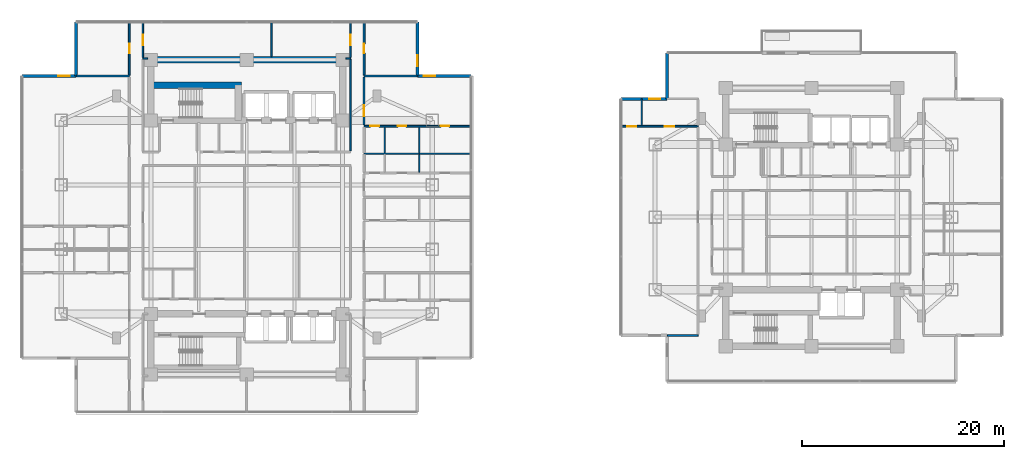
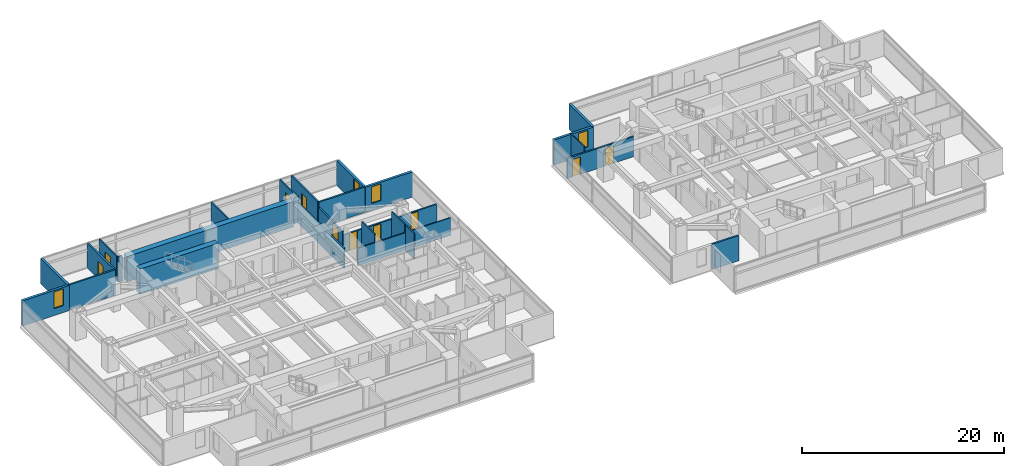
# One storey, part 16 of 24: 27 walls, 10 doors, 4 windows, 14 openings.
"""IFC4 building model written with IfcOpenShell, lengths in metres."""

from ifc_helpers import new_model, si_unit, direction, frame, frame_2d, origin, place, context, subcontext, project, spatial, rectangle, extrude, material, layer, layer_set, type_object, element, fill, save


model = new_model("IFC4")

# Units and contexts
model_context = context("Model", 3, precision=1e-05, world=origin(), true_north=direction((0.0, 1.0)))
body_context = subcontext(model_context, "Body", "Model", "MODEL_VIEW")
ifc_project = project(units=[si_unit("LENGTHUNIT", "METRE"), si_unit("AREAUNIT", "SQUARE_METRE"), si_unit("VOLUMEUNIT", "CUBIC_METRE"), si_unit("PLANEANGLEUNIT", "RADIAN"), si_unit("MASSUNIT", "GRAM", prefix="KILO")], contexts=[model_context])

# Site, building, storey
site_placement = place(None, origin())
site = spatial("IfcSite", under=ifc_project, at=site_placement, CompositionType="ELEMENT")
building_placement = place(site_placement, origin())
building = spatial("IfcBuilding", under=site, at=building_placement, Name="Mirazonda Arch Towers", CompositionType="ELEMENT")
storey_placement = place(building_placement, frame((0.0, 0.0, 71.89990234375)))
storey = spatial("IfcBuildingStorey", under=building, at=storey_placement, Name="L20", CompositionType="ELEMENT", Elevation=71.89990234375)

# Walls
ifc_material_1 = material(Name="Concrete C60/75", Category="concrete")
ifc_layer_1 = layer(ifc_material_1, 0.64990234375, Name="WALL-CORE-650")
ifc_layer_set_1 = layer_set([ifc_layer_1], Name="Concrete C60/75")
wall_type_1 = type_object("IfcWallType", Name="WALL-CORE-650", PredefinedType="SHEAR", material=ifc_layer_set_1)
wall_1_placement = place(storey_placement, frame((11.0, 43.60009765625, 0.0), z_axis=(0.0, 0.0, 1.0), x_axis=(1.0, 0.0, 0.0)))
element("IfcWall", 1, at=wall_1_placement, inside=storey, type_object=wall_type_1, Name="L20 T1N-N Core Shear Wall", PredefinedType="SHEAR", context=body_context, shape_type="SweptSolid", body=[
    extrude(rectangle(XDim=19.0, YDim=0.64990234375, at=frame_2d((9.5, 0.0))), origin(), (0.0, 0.0, 1.0), 3.06005859375),
])
wall_2_placement = place(storey_placement, frame((11.0, 41.093017578125, 0.0), z_axis=(0.0, 0.0, 1.0), x_axis=(1.0, 0.0, 0.0)))
element("IfcWall", 2, at=wall_2_placement, inside=storey, type_object=wall_type_1, Name="L20 T1N-STN Core Shear Wall", PredefinedType="SHEAR", context=body_context, shape_type="SweptSolid", body=[
    extrude(rectangle(XDim=9.0, YDim=0.64990234375, at=frame_2d((4.5, 0.0))), origin(), (0.0, 0.0, 1.0), 3.06005859375),
])

# Wall, opening, window
ifc_material_2 = material(Name="Precast Concrete C40/50", Category="concrete")
ifc_layer_2 = layer(ifc_material_2, 0.280029296875, Name="WALL-EXT-WALL-280")
ifc_layer_set_2 = layer_set([ifc_layer_2], Name="Precast Concrete C40/50")
wall_type_2 = type_object("IfcWallType", Name="WALL-EXT-WALL-280", PredefinedType="SOLIDWALL", material=ifc_layer_set_2)
wall_3_placement = place(storey_placement, frame((37.419921875, 41.988037109375, 0.0), z_axis=(0.0, 0.0, 1.0), x_axis=(0.0, 1.0, 0.0)))
wall_3 = element("IfcWall", 3, at=wall_3_placement, inside=storey, type_object=wall_type_2, Name="L20 T1 Notched NE Corner Wall WL-L20-T1-CNE", PredefinedType="SOLIDWALL", context=body_context, shape_type="SweptSolid", body=[
    extrude(rectangle(XDim=5.33984375, YDim=0.280029296875, at=frame_2d((2.669921875, 0.0))), origin(), (0.0, 0.0, 1.0), 3.0400390625),
])
opening_1_placement = place(wall_3_placement, frame((0.949951171875, 0.0, 0.85009765625)))
opening_1 = element("IfcOpeningElement", 4, at=opening_1_placement, cuts=wall_3, Name="Opening WN-108", PredefinedType="OPENING", context=body_context, shape_type="SweptSolid", body=[
    extrude(rectangle(XDim=1.10009765625, YDim=2.0, at=frame_2d((0.550048828125, 1.0))), frame((0.0, 0.14990234375, 0.0), z_axis=(0.0, -1.0, 0.0), x_axis=(1.0, 0.0, 0.0)), (0.0, 0.0, 1.0), 0.300048828125),
])
ifc_material_3 = material(Name="Insulated Low-E Solar Glass", Category="glass")
window_type = type_object("IfcWindowType", Name="WIN-NOTCH-1100x2000", PartitioningType="SINGLE_PANEL", PredefinedType="WINDOW", material=ifc_material_3)
window_1_placement = place(opening_1_placement, origin())
window_1 = element("IfcWindow", 5, at=window_1_placement, inside=storey, type_object=window_type, Name="L20 Punched Facade Window WN-L20-T1-CNE", OverallHeight=2.0, OverallWidth=1.10009765625, PartitioningType="SINGLE_PANEL", PredefinedType="WINDOW", context=body_context, shape_type="SweptSolid", body=[
    extrude(rectangle(XDim=1.10009765625, YDim=2.0, at=frame_2d((0.550048828125, 1.0))), frame((0.0, 0.030029296875, 0.0), z_axis=(0.0, -1.0, 0.0), x_axis=(1.0, 0.0, 0.0)), (0.0, 0.0, 1.0), 0.06005859375),
])
fill(opening_1, window_1)

wall_4_placement = place(storey_placement, frame((3.580078125, 41.988037109375, 0.0), z_axis=(0.0, 0.0, 1.0), x_axis=(-1.0, 0.0, 0.0)))
wall_4 = element("IfcWall", 6, at=wall_4_placement, inside=storey, type_object=wall_type_2, Name="L20 T1 Corner Notch Return Wall WL-L20-T1-CNW1", PredefinedType="SOLIDWALL", context=body_context, shape_type="SweptSolid", body=[
    extrude(rectangle(XDim=5.340087890625, YDim=0.280029296875, at=frame_2d((2.669921875, 0.0))), origin(), (0.0, 0.0, 1.0), 3.0400390625),
])
opening_2_placement = place(wall_4_placement, frame((0.64990234375, 0.0, 0.85009765625)))
opening_2 = element("IfcOpeningElement", 7, at=opening_2_placement, cuts=wall_4, Name="Opening WN-108", PredefinedType="OPENING", context=body_context, shape_type="SweptSolid", body=[
    extrude(rectangle(XDim=1.10009765625, YDim=2.0, at=frame_2d((0.550048828125, 1.0))), frame((0.0, 0.14990234375, 0.0), z_axis=(0.0, -1.0, 0.0), x_axis=(1.0, 0.0, 0.0)), (0.0, 0.0, 1.0), 0.300048828125),
])
window_2_placement = place(opening_2_placement, origin())
window_2 = element("IfcWindow", 8, at=window_2_placement, inside=storey, type_object=window_type, Name="L20 Punched Facade Window WN-L20-T1-CNW1", OverallHeight=2.0, OverallWidth=1.10009765625, PartitioningType="SINGLE_PANEL", PredefinedType="WINDOW", context=body_context, shape_type="SweptSolid", body=[
    extrude(rectangle(XDim=1.10009765625, YDim=2.0, at=frame_2d((0.550048828125, 1.0))), frame((0.0, 0.030029296875, 0.0), z_axis=(0.0, -1.0, 0.0), x_axis=(1.0, 0.0, 0.0)), (0.0, 0.0, 1.0), 0.06005859375),
])
fill(opening_2, window_2)

# Wall
wall_5_placement = place(storey_placement, frame((3.580078125, 47.327880859375, 0.0), z_axis=(0.0, 0.0, 1.0), x_axis=(0.0, -1.0, 0.0)))
element("IfcWall", 9, at=wall_5_placement, inside=storey, type_object=wall_type_2, Name="L20 T1 Corner Notch Return Wall WL-L20-T1-CNW2", PredefinedType="SOLIDWALL", context=body_context, shape_type="SweptSolid", body=[
    extrude(rectangle(XDim=5.33984375, YDim=0.280029296875, at=frame_2d((2.669921875, 0.0))), origin(), (0.0, 0.0, 1.0), 3.0400390625),
])

# Wall, opening, window
wall_6_placement = place(storey_placement, frame((42.760009765625, 41.988037109375, 0.0), z_axis=(0.0, 0.0, 1.0), x_axis=(-1.0, 0.0, 0.0)))
wall_6 = element("IfcWall", 10, at=wall_6_placement, inside=storey, type_object=wall_type_2, Name="L20 T1 Corner Notch Return Wall WL-L20-T1-CNE2", PredefinedType="SOLIDWALL", context=body_context, shape_type="SweptSolid", body=[
    extrude(rectangle(XDim=5.340087890625, YDim=0.280029296875, at=frame_2d((2.669921875, 0.0))), origin(), (0.0, 0.0, 1.0), 3.0400390625),
])
opening_3_placement = place(wall_6_placement, frame((3.590087890625, 0.0, 0.85009765625)))
opening_3 = element("IfcOpeningElement", 11, at=opening_3_placement, cuts=wall_6, Name="Opening WN-108", PredefinedType="OPENING", context=body_context, shape_type="SweptSolid", body=[
    extrude(rectangle(XDim=1.10009765625, YDim=2.0, at=frame_2d((0.550048828125, 1.0))), frame((0.0, 0.14990234375, 0.0), z_axis=(0.0, -1.0, 0.0), x_axis=(1.0, 0.0, 0.0)), (0.0, 0.0, 1.0), 0.300048828125),
])
window_3_placement = place(opening_3_placement, origin())
window_3 = element("IfcWindow", 12, at=window_3_placement, inside=storey, type_object=window_type, Name="L20 Punched Facade Window WN-L20-T1-CNE2", OverallHeight=2.0, OverallWidth=1.10009765625, PartitioningType="SINGLE_PANEL", PredefinedType="WINDOW", context=body_context, shape_type="SweptSolid", body=[
    extrude(rectangle(XDim=1.10009765625, YDim=2.0, at=frame_2d((0.550048828125, 1.0))), frame((0.0, 0.030029296875, 0.0), z_axis=(0.0, -1.0, 0.0), x_axis=(1.0, 0.0, 0.0)), (0.0, 0.0, 1.0), 0.06005859375),
])
fill(opening_3, window_3)

wall_7_placement = place(storey_placement, frame((62.177978515625, 39.729736328125, 0.0), z_axis=(0.0, 0.0, 1.0), x_axis=(-1.0, 0.0, 0.0)))
wall_7 = element("IfcWall", 13, at=wall_7_placement, inside=storey, type_object=wall_type_2, Name="L20 T2 Corner Notch Return Wall WL-L20-T2-CNW1", PredefinedType="SOLIDWALL", context=body_context, shape_type="SweptSolid", body=[
    extrude(rectangle(XDim=4.5458984375, YDim=0.280029296875, at=frame_2d((2.27294921875, 0.0))), origin(), (0.0, 0.0, 1.0), 3.0400390625),
])
opening_4_placement = place(wall_7_placement, frame((0.64990234375, 0.0, 0.85009765625)))
opening_4 = element("IfcOpeningElement", 14, at=opening_4_placement, cuts=wall_7, Name="Opening WN-108", PredefinedType="OPENING", context=body_context, shape_type="SweptSolid", body=[
    extrude(rectangle(XDim=1.10009765625, YDim=2.0, at=frame_2d((0.550048828125, 1.0))), frame((0.0, 0.14990234375, 0.0), z_axis=(0.0, -1.0, 0.0), x_axis=(1.0, 0.0, 0.0)), (0.0, 0.0, 1.0), 0.300048828125),
])
window_4_placement = place(opening_4_placement, origin())
window_4 = element("IfcWindow", 15, at=window_4_placement, inside=storey, type_object=window_type, Name="L20 Punched Facade Window WN-L20-T2-CNW1", OverallHeight=2.0, OverallWidth=1.10009765625, PartitioningType="SINGLE_PANEL", PredefinedType="WINDOW", context=body_context, shape_type="SweptSolid", body=[
    extrude(rectangle(XDim=1.10009765625, YDim=2.0, at=frame_2d((0.550048828125, 1.0))), frame((0.0, 0.030029296875, 0.0), z_axis=(0.0, -1.0, 0.0), x_axis=(1.0, 0.0, 0.0)), (0.0, 0.0, 1.0), 0.06005859375),
])
fill(opening_4, window_4)

# Walls
wall_8_placement = place(storey_placement, frame((62.177978515625, 44.27587890625, 0.0), z_axis=(0.0, 0.0, 1.0), x_axis=(0.0, -1.0, 0.0)))
element("IfcWall", 16, at=wall_8_placement, inside=storey, type_object=wall_type_2, Name="L20 T2 Corner Notch Return Wall WL-L20-T2-CNW2", PredefinedType="SOLIDWALL", context=body_context, shape_type="SweptSolid", body=[
    extrude(rectangle(XDim=4.546142578125, YDim=0.280029296875, at=frame_2d((2.27294921875, 0.0))), origin(), (0.0, 0.0, 1.0), 3.0400390625),
])
ifc_material_4 = material(Name="Fire-Rated Gypsum Stud Partition")
ifc_layer_3 = layer(ifc_material_4, 0.14990234375, Name="WALL-PART-CORR-150")
ifc_layer_set_3 = layer_set([ifc_layer_3], Name="Fire-Rated Gypsum Stud Partition")
wall_type_3 = type_object("IfcWallType", Name="WALL-PART-CORR-150", PredefinedType="PARTITIONING", material=ifc_layer_set_3)
for number, where, z_axis, x_axis, name in (
    (17, (10.199951171875, 43.75, 0.0), (0.0, 0.0, 1.0), (1.0, 0.0, 0.0), "L20 Interior Partition 056"),
    (18, (30.320068359375, 43.75, 0.0), (0.0, 0.0, 1.0), (1.0, 0.0, 0.0), "L20 Interior Partition 057"),
):
    element("IfcWall", number, at=place(storey_placement, frame(where, z_axis=z_axis, x_axis=x_axis)), inside=storey, type_object=wall_type_3, Name=name, PredefinedType="PARTITIONING", context=body_context, shape_type="SweptSolid", body=[
        extrude(rectangle(XDim=0.47998046875, YDim=0.14990234375, at=frame_2d((0.239990234375, 0.0))), origin(), (0.0, 0.0, 1.0), 3.06005859375),
    ])

# Wall, opening, door
wall_9_placement = place(storey_placement, frame((10.199951171875, 43.8349609375, 0.0), z_axis=(0.0, 0.0, 1.0), x_axis=(0.0, 1.0, 0.0)))
wall_9 = element("IfcWall", 19, at=wall_9_placement, inside=storey, type_object=wall_type_3, Name="L20 Interior Partition 073", PredefinedType="PARTITIONING", context=body_context, shape_type="SweptSolid", body=[
    extrude(rectangle(XDim=3.492919921875, YDim=0.14990234375, at=frame_2d((1.74658203125, 0.0))), origin(), (0.0, 0.0, 1.0), 3.06005859375),
])
opening_5_placement = place(wall_9_placement, frame((1.221435546875, 0.0, 0.0)))
opening_5 = element("IfcOpeningElement", 20, at=opening_5_placement, cuts=wall_9, Name="Opening DR-121", PredefinedType="OPENING", context=body_context, shape_type="SweptSolid", body=[
    extrude(rectangle(XDim=1.050048828125, YDim=2.199951171875, at=frame_2d((0.52490234375, 1.10009765625))), frame((0.0, 0.0849609375, 0.0), z_axis=(0.0, -1.0, 0.0), x_axis=(1.0, 0.0, 0.0)), (0.0, 0.0, 1.0), 0.169921875),
])
ifc_material_5 = material(Name="Architectural Brushed Steel S355", Category="steel")
door_type_1 = type_object("IfcDoorType", Name="DOOR-SUITE-FD60-1050", OperationType="NOTDEFINED", PredefinedType="DOOR", material=ifc_material_5)
door_1_placement = place(opening_5_placement, origin())
door_1 = element("IfcDoor", 21, at=door_1_placement, inside=storey, type_object=door_type_1, Name="L20 North Bay Sunroom West Door", OperationType="SINGLE_SWING_RIGHT", OverallHeight=2.199951171875, OverallWidth=1.050048828125, PredefinedType="DOOR", context=body_context, shape_type="SweptSolid", body=[
    extrude(rectangle(XDim=1.050048828125, YDim=2.199951171875, at=frame_2d((0.52490234375, 1.10009765625))), frame((0.0, 0.02490234375, 0.0), z_axis=(0.0, -1.0, 0.0), x_axis=(1.0, 0.0, 0.0)), (0.0, 0.0, 1.0), 0.050048828125),
])
fill(opening_5, door_1)

# Walls
wall_10_placement = place(storey_placement, frame((22.971923828125, 43.919921875, 0.0), z_axis=(0.0, 0.0, 1.0), x_axis=(0.0, 1.0, 0.0)))
element("IfcWall", 22, at=wall_10_placement, inside=storey, type_object=wall_type_3, Name="L20 Interior Partition 087", PredefinedType="PARTITIONING", context=body_context, shape_type="SweptSolid", body=[
    extrude(rectangle(XDim=3.407958984375, YDim=0.14990234375, at=frame_2d((1.7041015625, 0.0))), origin(), (0.0, 0.0, 1.0), 3.06005859375),
])
wall_11_placement = place(storey_placement, frame((30.800048828125, 34.570068359375, 0.0), z_axis=(0.0, 0.0, 1.0), x_axis=(0.0, 1.0, 0.0)))
element("IfcWall", 23, at=wall_11_placement, inside=storey, type_object=wall_type_3, Name="L20 Interior Partition 100", PredefinedType="PARTITIONING", context=body_context, shape_type="SweptSolid", body=[
    extrude(rectangle(XDim=9.094970703125, YDim=0.14990234375, at=frame_2d((4.54736328125, 0.0))), origin(), (0.0, 0.0, 1.0), 2.43603515625),
])

# Wall, opening, door
wall_12_placement = place(storey_placement, frame((30.800048828125, 43.8349609375, 0.0), z_axis=(0.0, 0.0, 1.0), x_axis=(0.0, 1.0, 0.0)))
wall_12 = element("IfcWall", 24, at=wall_12_placement, inside=storey, type_object=wall_type_3, Name="L20 Interior Partition 101", PredefinedType="PARTITIONING", context=body_context, shape_type="SweptSolid", body=[
    extrude(rectangle(XDim=3.492919921875, YDim=0.14990234375, at=frame_2d((1.74658203125, 0.0))), origin(), (0.0, 0.0, 1.0), 3.06005859375),
])
opening_6_placement = place(wall_12_placement, frame((1.221435546875, 0.0, 0.0)))
opening_6 = element("IfcOpeningElement", 25, at=opening_6_placement, cuts=wall_12, Name="Opening DR-121", PredefinedType="OPENING", context=body_context, shape_type="SweptSolid", body=[
    extrude(rectangle(XDim=1.050048828125, YDim=2.199951171875, at=frame_2d((0.52490234375, 1.10009765625))), frame((0.0, 0.0849609375, 0.0), z_axis=(0.0, -1.0, 0.0), x_axis=(1.0, 0.0, 0.0)), (0.0, 0.0, 1.0), 0.169921875),
])
door_2_placement = place(opening_6_placement, origin())
door_2 = element("IfcDoor", 26, at=door_2_placement, inside=storey, type_object=door_type_1, Name="L20 North Bay Sunroom East Door", OperationType="SINGLE_SWING_LEFT", OverallHeight=2.199951171875, OverallWidth=1.050048828125, PredefinedType="DOOR", context=body_context, shape_type="SweptSolid", body=[
    extrude(rectangle(XDim=1.050048828125, YDim=2.199951171875, at=frame_2d((0.52490234375, 1.10009765625))), frame((0.0, 0.02490234375, 0.0), z_axis=(0.0, -1.0, 0.0), x_axis=(1.0, 0.0, 0.0)), (0.0, 0.0, 1.0), 0.050048828125),
])
fill(opening_6, door_2)

# Wall
ifc_material_6 = material(Name="Fire-Rated Gypsum Twin-Stud Assembly")
ifc_layer_4 = layer(ifc_material_6, 0.179931640625, Name="WALL-PART-DEMISE-180")
ifc_layer_set_4 = layer_set([ifc_layer_4], Name="Fire-Rated Gypsum Twin-Stud Assembly")
wall_type_4 = type_object("IfcWallType", Name="WALL-PART-DEMISE-180", PredefinedType="PARTITIONING", material=ifc_layer_set_4)
wall_13_placement = place(storey_placement, frame((62.197998046875, 16.27001953125, 0.0), z_axis=(0.0, 0.0, 1.0), x_axis=(1.0, 0.0, 0.0)))
element("IfcWall", 27, at=wall_13_placement, inside=storey, type_object=wall_type_4, Name="L20 Interior Partition 009", PredefinedType="PARTITIONING", context=body_context, shape_type="SweptSolid", body=[
    extrude(rectangle(XDim=3.052001953125, YDim=0.179931640625, at=frame_2d((1.52587890625, 0.0))), origin(), (0.0, 0.0, 1.0), 3.06005859375),
])

# Wall, openings, doors
wall_14_placement = place(storey_placement, frame((32.139892578125, 37.01611328125, 0.0), z_axis=(0.0, 0.0, 1.0), x_axis=(1.0, 0.0, 0.0)))
wall_14 = element("IfcWall", 28, at=wall_14_placement, inside=storey, type_object=wall_type_4, Name="L20 Interior Partition 045", PredefinedType="PARTITIONING", context=body_context, shape_type="SweptSolid", body=[
    extrude(rectangle(XDim=10.6201171875, YDim=0.179931640625, at=frame_2d((5.31005859375, 0.0))), origin(), (0.0, 0.0, 1.0), 2.125),
])
opening_7_placement = place(wall_14_placement, frame((7.60107421875, 0.0, 0.0)))
opening_7 = element("IfcOpeningElement", 29, at=opening_7_placement, cuts=wall_14, Name="Opening DR-128", PredefinedType="OPENING", context=body_context, shape_type="SweptSolid", body=[
    extrude(rectangle(XDim=0.85009765625, YDim=2.010009765625, at=frame_2d((0.425048828125, 1.0048828125))), frame((0.0, 0.099853515625, 0.0), z_axis=(0.0, -1.0, 0.0), x_axis=(1.0, 0.0, 0.0)), (0.0, 0.0, 1.0), 0.199951171875),
])
opening_8_placement = place(wall_14_placement, frame((3.3310546875, 0.0, 0.0)))
opening_8 = element("IfcOpeningElement", 30, at=opening_8_placement, cuts=wall_14, Name="Opening DR-128", PredefinedType="OPENING", context=body_context, shape_type="SweptSolid", body=[
    extrude(rectangle(XDim=0.85009765625, YDim=2.010009765625, at=frame_2d((0.425048828125, 1.0048828125))), frame((0.0, 0.099853515625, 0.0), z_axis=(0.0, -1.0, 0.0), x_axis=(1.0, 0.0, 0.0)), (0.0, 0.0, 1.0), 0.199951171875),
])
opening_9_placement = place(wall_14_placement, frame((0.590087890625, 0.0, 0.0)))
opening_9 = element("IfcOpeningElement", 31, at=opening_9_placement, cuts=wall_14, Name="Opening DR-120", PredefinedType="OPENING", context=body_context, shape_type="SweptSolid", body=[
    extrude(rectangle(XDim=0.89990234375, YDim=2.10009765625, at=frame_2d((0.449951171875, 1.050048828125))), frame((0.0, 0.099853515625, 0.0), z_axis=(0.0, -1.0, 0.0), x_axis=(1.0, 0.0, 0.0)), (0.0, 0.0, 1.0), 0.199951171875),
])
door_type_2 = type_object("IfcDoorType", Name="DOOR-RISER-FD60-850", OperationType="NOTDEFINED", PredefinedType="DOOR", material=ifc_material_5)
door_3_placement = place(opening_7_placement, origin())
door_3 = element("IfcDoor", 32, at=door_3_placement, inside=storey, type_object=door_type_2, Name="L20 Residence 4 Principal Bedroom Door", OperationType="SINGLE_SWING_RIGHT", OverallHeight=2.010009765625, OverallWidth=0.85009765625, PredefinedType="DOOR", context=body_context, shape_type="SweptSolid", body=[
    extrude(rectangle(XDim=0.85009765625, YDim=2.010009765625, at=frame_2d((0.425048828125, 1.0048828125))), frame((0.0, 0.02490234375, 0.0), z_axis=(0.0, -1.0, 0.0), x_axis=(1.0, 0.0, 0.0)), (0.0, 0.0, 1.0), 0.050048828125),
])
fill(opening_7, door_3)
door_4_placement = place(opening_8_placement, origin())
door_4 = element("IfcDoor", 33, at=door_4_placement, inside=storey, type_object=door_type_2, Name="L20 Residence 4 Fitted Kitchen Door", OperationType="SINGLE_SWING_LEFT", OverallHeight=2.010009765625, OverallWidth=0.85009765625, PredefinedType="DOOR", context=body_context, shape_type="SweptSolid", body=[
    extrude(rectangle(XDim=0.85009765625, YDim=2.010009765625, at=frame_2d((0.425048828125, 1.0048828125))), frame((0.0, 0.02490234375, 0.0), z_axis=(0.0, -1.0, 0.0), x_axis=(1.0, 0.0, 0.0)), (0.0, 0.0, 1.0), 0.050048828125),
])
fill(opening_8, door_4)
door_type_3 = type_object("IfcDoorType", Name="DOOR-WC-900", OperationType="NOTDEFINED", PredefinedType="DOOR", material=ifc_material_5)
door_5_placement = place(opening_9_placement, origin())
door_5 = element("IfcDoor", 34, at=door_5_placement, inside=storey, type_object=door_type_3, Name="L20 Residence 4 Bathroom Door", OperationType="SINGLE_SWING_RIGHT", OverallHeight=2.10009765625, OverallWidth=0.89990234375, PredefinedType="DOOR", context=body_context, shape_type="SweptSolid", body=[
    extrude(rectangle(XDim=0.89990234375, YDim=2.10009765625, at=frame_2d((0.449951171875, 1.050048828125))), frame((0.0, 0.02490234375, 0.0), z_axis=(0.0, -1.0, 0.0), x_axis=(1.0, 0.0, 0.0)), (0.0, 0.0, 1.0), 0.050048828125),
])
fill(opening_9, door_5)

wall_15_placement = place(storey_placement, frame((57.632080078125, 37.010009765625, 0.0), z_axis=(0.0, 0.0, 1.0), x_axis=(1.0, 0.0, 0.0)))
wall_15 = element("IfcWall", 35, at=wall_15_placement, inside=storey, type_object=wall_type_4, Name="L20 Interior Partition 046", PredefinedType="PARTITIONING", context=body_context, shape_type="SweptSolid", body=[
    extrude(rectangle(XDim=7.617919921875, YDim=0.179931640625, at=frame_2d((3.80908203125, 0.0))), origin(), (0.0, 0.0, 1.0), 2.43603515625),
])
opening_10_placement = place(wall_15_placement, frame((4.333984375, 0.0, 0.0)))
opening_10 = element("IfcOpeningElement", 36, at=opening_10_placement, cuts=wall_15, Name="Opening DR-104", PredefinedType="OPENING", context=body_context, shape_type="SweptSolid", body=[
    extrude(rectangle(XDim=0.949951171875, YDim=2.14990234375, at=frame_2d((0.47509765625, 1.074951171875))), frame((0.0, 0.099853515625, 0.0), z_axis=(0.0, -1.0, 0.0), x_axis=(1.0, 0.0, 0.0)), (0.0, 0.0, 1.0), 0.199951171875),
])
opening_11_placement = place(wall_15_placement, frame((0.590087890625, 0.0, 0.0)))
opening_11 = element("IfcOpeningElement", 37, at=opening_11_placement, cuts=wall_15, Name="Opening DR-120", PredefinedType="OPENING", context=body_context, shape_type="SweptSolid", body=[
    extrude(rectangle(XDim=0.89990234375, YDim=2.10009765625, at=frame_2d((0.449951171875, 1.050048828125))), frame((0.0, 0.099853515625, 0.0), z_axis=(0.0, -1.0, 0.0), x_axis=(1.0, 0.0, 0.0)), (0.0, 0.0, 1.0), 0.199951171875),
])
door_type_4 = type_object("IfcDoorType", Name="DOOR-ROOM-950", OperationType="NOTDEFINED", PredefinedType="DOOR", material=ifc_material_5)
door_6_placement = place(opening_10_placement, origin())
door_6 = element("IfcDoor", 38, at=door_6_placement, inside=storey, type_object=door_type_4, Name="L20 Suite Bedroom 1 Door", OperationType="SINGLE_SWING_RIGHT", OverallHeight=2.14990234375, OverallWidth=0.949951171875, PredefinedType="DOOR", context=body_context, shape_type="SweptSolid", body=[
    extrude(rectangle(XDim=0.949951171875, YDim=2.14990234375, at=frame_2d((0.47509765625, 1.074951171875))), frame((0.0, 0.02490234375, 0.0), z_axis=(0.0, -1.0, 0.0), x_axis=(1.0, 0.0, 0.0)), (0.0, 0.0, 1.0), 0.050048828125),
])
fill(opening_10, door_6)
door_7_placement = place(opening_11_placement, origin())
door_7 = element("IfcDoor", 39, at=door_7_placement, inside=storey, type_object=door_type_3, Name="L20 Suite En-Suite Bathroom 1 Door", OperationType="SINGLE_SWING_LEFT", OverallHeight=2.10009765625, OverallWidth=0.89990234375, PredefinedType="DOOR", context=body_context, shape_type="SweptSolid", body=[
    extrude(rectangle(XDim=0.89990234375, YDim=2.10009765625, at=frame_2d((0.449951171875, 1.050048828125))), frame((0.0, 0.02490234375, 0.0), z_axis=(0.0, -1.0, 0.0), x_axis=(1.0, 0.0, 0.0)), (0.0, 0.0, 1.0), 0.050048828125),
])
fill(opening_11, door_7)

# Walls
for number, where, z_axis, x_axis, name in (
    (40, (3.60009765625, 41.988037109375, 0.0), (0.0, 0.0, 1.0), (1.0, 0.0, 0.0), "L20 Interior Partition 054"),
    (41, (32.139892578125, 41.988037109375, 0.0), (0.0, 0.0, 1.0), (1.0, 0.0, 0.0), "L20 Interior Partition 055"),
):
    element("IfcWall", number, at=place(storey_placement, frame(where, z_axis=z_axis, x_axis=x_axis)), inside=storey, type_object=wall_type_4, Name=name, PredefinedType="PARTITIONING", context=body_context, shape_type="SweptSolid", body=[
        extrude(rectangle(XDim=5.260009765625, YDim=0.179931640625, at=frame_2d((2.6298828125, 0.0))), origin(), (0.0, 0.0, 1.0), 3.06005859375),
    ])

# Wall, opening, door
wall_16_placement = place(storey_placement, frame((8.860107421875, 42.087890625, 0.0), z_axis=(0.0, 0.0, 1.0), x_axis=(0.0, 1.0, 0.0)))
wall_16 = element("IfcWall", 42, at=wall_16_placement, inside=storey, type_object=wall_type_4, Name="L20 Interior Partition 067", PredefinedType="PARTITIONING", context=body_context, shape_type="SweptSolid", body=[
    extrude(rectangle(XDim=5.239990234375, YDim=0.179931640625, at=frame_2d((2.6201171875, 0.0))), origin(), (0.0, 0.0, 1.0), 3.06005859375),
])
opening_12_placement = place(wall_16_placement, frame((2.14501953125, 0.0, 0.0)))
opening_12 = element("IfcOpeningElement", 43, at=opening_12_placement, cuts=wall_16, Name="Opening DR-104", PredefinedType="OPENING", context=body_context, shape_type="SweptSolid", body=[
    extrude(rectangle(XDim=0.949951171875, YDim=2.14990234375, at=frame_2d((0.47509765625, 1.074951171875))), frame((0.0, 0.099853515625, 0.0), z_axis=(0.0, -1.0, 0.0), x_axis=(1.0, 0.0, 0.0)), (0.0, 0.0, 1.0), 0.199951171875),
])
door_8_placement = place(opening_12_placement, origin())
door_8 = element("IfcDoor", 44, at=door_8_placement, inside=storey, type_object=door_type_4, Name="L20 North Bay Sunroom Alcove West Door", OperationType="SINGLE_SWING_RIGHT", OverallHeight=2.14990234375, OverallWidth=0.949951171875, PredefinedType="DOOR", context=body_context, shape_type="SweptSolid", body=[
    extrude(rectangle(XDim=0.949951171875, YDim=2.14990234375, at=frame_2d((0.47509765625, 1.074951171875))), frame((0.0, 0.02490234375, 0.0), z_axis=(0.0, -1.0, 0.0), x_axis=(1.0, 0.0, 0.0)), (0.0, 0.0, 1.0), 0.050048828125),
])
fill(opening_12, door_8)

wall_17_placement = place(storey_placement, frame((32.139892578125, 37.115966796875, 0.0), z_axis=(0.0, 0.0, 1.0), x_axis=(0.0, 1.0, 0.0)))
wall_17 = element("IfcWall", 45, at=wall_17_placement, inside=storey, type_object=wall_type_4, Name="L20 Interior Partition 110", PredefinedType="PARTITIONING", context=body_context, shape_type="SweptSolid", body=[
    extrude(rectangle(XDim=4.77197265625, YDim=0.179931640625, at=frame_2d((2.385986328125, 0.0))), origin(), (0.0, 0.0, 1.0), 2.43603515625),
])
opening_13_placement = place(wall_17_placement, frame((0.910888671875, 0.0, 0.0)))
opening_13 = element("IfcOpeningElement", 46, at=opening_13_placement, cuts=wall_17, Name="Opening DR-121", PredefinedType="OPENING", context=body_context, shape_type="SweptSolid", body=[
    extrude(rectangle(XDim=1.050048828125, YDim=2.199951171875, at=frame_2d((0.52490234375, 1.10009765625))), frame((0.0, 0.099853515625, 0.0), z_axis=(0.0, -1.0, 0.0), x_axis=(1.0, 0.0, 0.0)), (0.0, 0.0, 1.0), 0.199951171875),
])
door_9_placement = place(opening_13_placement, origin())
door_9 = element("IfcDoor", 47, at=door_9_placement, inside=storey, type_object=door_type_1, Name="L20 Residence 4 Living & Dining Salon Door", OperationType="SINGLE_SWING_LEFT", OverallHeight=2.199951171875, OverallWidth=1.050048828125, PredefinedType="DOOR", context=body_context, shape_type="SweptSolid", body=[
    extrude(rectangle(XDim=1.050048828125, YDim=2.199951171875, at=frame_2d((0.52490234375, 1.10009765625))), frame((0.0, 0.02490234375, 0.0), z_axis=(0.0, -1.0, 0.0), x_axis=(1.0, 0.0, 0.0)), (0.0, 0.0, 1.0), 0.050048828125),
])
fill(opening_13, door_9)

wall_18_placement = place(storey_placement, frame((32.139892578125, 42.087890625, 0.0), z_axis=(0.0, 0.0, 1.0), x_axis=(0.0, 1.0, 0.0)))
wall_18 = element("IfcWall", 48, at=wall_18_placement, inside=storey, type_object=wall_type_4, Name="L20 Interior Partition 111", PredefinedType="PARTITIONING", context=body_context, shape_type="SweptSolid", body=[
    extrude(rectangle(XDim=5.239990234375, YDim=0.179931640625, at=frame_2d((2.6201171875, 0.0))), origin(), (0.0, 0.0, 1.0), 3.06005859375),
])
opening_14_placement = place(wall_18_placement, frame((2.14501953125, 0.0, 0.0)))
opening_14 = element("IfcOpeningElement", 49, at=opening_14_placement, cuts=wall_18, Name="Opening DR-104", PredefinedType="OPENING", context=body_context, shape_type="SweptSolid", body=[
    extrude(rectangle(XDim=0.949951171875, YDim=2.14990234375, at=frame_2d((0.47509765625, 1.074951171875))), frame((0.0, 0.099853515625, 0.0), z_axis=(0.0, -1.0, 0.0), x_axis=(1.0, 0.0, 0.0)), (0.0, 0.0, 1.0), 0.199951171875),
])
door_10_placement = place(opening_14_placement, origin())
door_10 = element("IfcDoor", 50, at=door_10_placement, inside=storey, type_object=door_type_4, Name="L20 North Bay Sunroom Alcove East Door", OperationType="SINGLE_SWING_LEFT", OverallHeight=2.14990234375, OverallWidth=0.949951171875, PredefinedType="DOOR", context=body_context, shape_type="SweptSolid", body=[
    extrude(rectangle(XDim=0.949951171875, YDim=2.14990234375, at=frame_2d((0.47509765625, 1.074951171875))), frame((0.0, 0.02490234375, 0.0), z_axis=(0.0, -1.0, 0.0), x_axis=(1.0, 0.0, 0.0)), (0.0, 0.0, 1.0), 0.050048828125),
])
fill(opening_14, door_10)

# Walls
ifc_material_7 = material(Name="Acoustic Fire-Rated Gypsum Partition")
ifc_layer_5 = layer(ifc_material_7, 0.125, Name="WALL-PART-UNIT-125")
ifc_layer_set_5 = layer_set([ifc_layer_5], Name="Acoustic Fire-Rated Gypsum Partition")
wall_type_5 = type_object("IfcWallType", Name="WALL-PART-UNIT-125", PredefinedType="PARTITIONING", material=ifc_layer_set_5)
wall_19_placement = place(storey_placement, frame((32.139892578125, 34.2958984375, 0.0), z_axis=(0.0, 0.0, 1.0), x_axis=(1.0, 0.0, 0.0)))
element("IfcWall", 51, at=wall_19_placement, inside=storey, type_object=wall_type_5, Name="L20 Interior Partition 039", PredefinedType="PARTITIONING", context=body_context, shape_type="SweptSolid", body=[
    extrude(rectangle(XDim=10.6201171875, YDim=0.125, at=frame_2d((5.31005859375, 0.0))), origin(), (0.0, 0.0, 1.0), 2.125),
])
wall_20_placement = place(storey_placement, frame((34.179931640625, 34.368408203125, 0.0), z_axis=(0.0, 0.0, 1.0), x_axis=(0.0, 1.0, 0.0)))
element("IfcWall", 52, at=wall_20_placement, inside=storey, type_object=wall_type_5, Name="L20 Interior Partition 115", PredefinedType="PARTITIONING", context=body_context, shape_type="SweptSolid", body=[
    extrude(rectangle(XDim=2.547607421875, YDim=0.125, at=frame_2d((1.27392578125, 0.0))), origin(), (0.0, 0.0, 1.0), 3.06005859375),
])
wall_21_placement = place(storey_placement, frame((37.612060546875, 32.47607421875, 0.0), z_axis=(0.0, 0.0, 1.0), x_axis=(0.0, 1.0, 0.0)))
element("IfcWall", 53, at=wall_21_placement, inside=storey, type_object=wall_type_5, Name="L20 Interior Partition 118", PredefinedType="PARTITIONING", context=body_context, shape_type="SweptSolid", body=[
    extrude(rectangle(XDim=1.747314453125, YDim=0.125, at=frame_2d((0.87353515625, 0.0))), origin(), (0.0, 0.0, 1.0), 3.06005859375),
])
wall_22_placement = place(storey_placement, frame((37.612060546875, 34.368408203125, 0.0), z_axis=(0.0, 0.0, 1.0), x_axis=(0.0, 1.0, 0.0)))
element("IfcWall", 54, at=wall_22_placement, inside=storey, type_object=wall_type_5, Name="L20 Interior Partition 119", PredefinedType="PARTITIONING", context=body_context, shape_type="SweptSolid", body=[
    extrude(rectangle(XDim=2.547607421875, YDim=0.125, at=frame_2d((1.27392578125, 0.0))), origin(), (0.0, 0.0, 1.0), 3.06005859375),
])
wall_23_placement = place(storey_placement, frame((59.672119140625, 37.110107421875, 0.0), z_axis=(0.0, 0.0, 1.0), x_axis=(0.0, 1.0, 0.0)))
element("IfcWall", 55, at=wall_23_placement, inside=storey, type_object=wall_type_5, Name="L20 Interior Partition 120", PredefinedType="PARTITIONING", context=body_context, shape_type="SweptSolid", body=[
    extrude(rectangle(XDim=2.619873046875, YDim=0.125, at=frame_2d((1.31005859375, 0.0))), origin(), (0.0, 0.0, 1.0), 3.06005859375),
])

save(model, "model.ifc")
